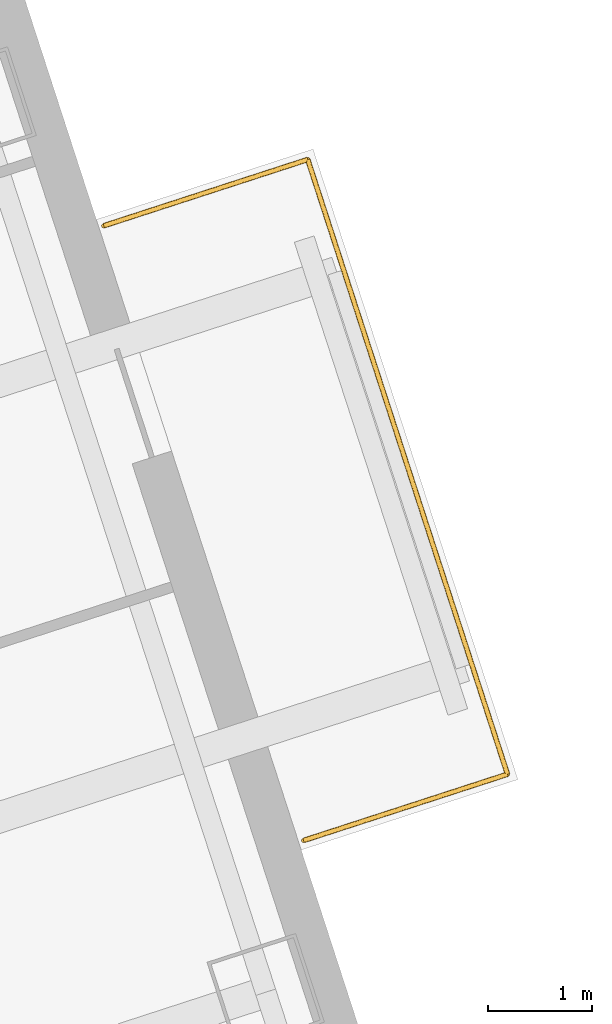
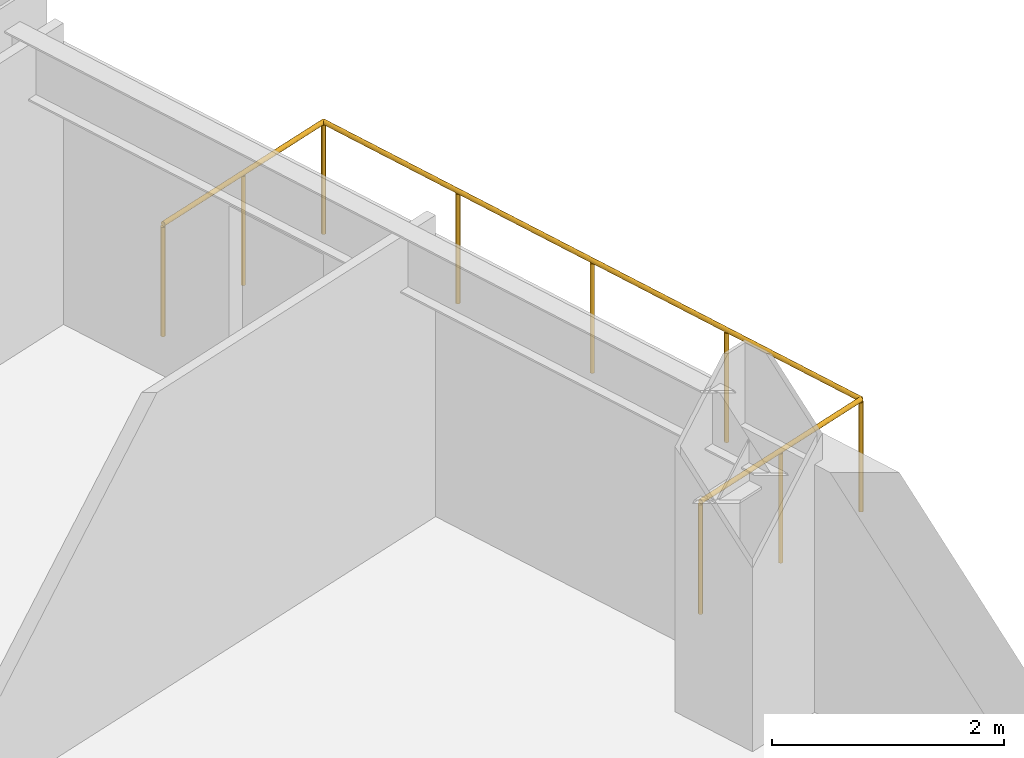
# One storey, part 15 of 15: 1 railing.
"""IFC4 building model written with IfcOpenShell, lengths in metres."""

import ifcopenshell
import ifcopenshell.guid

model = None  # the IFC model being written
_history = None  # IfcOwnerHistory: only IFC2X3 demands one
_inside = {}  # id of a spatial element -> (the spatial element, [elements in it])
_under = {}  # id of a project, library or spatial element -> (it, [spatial elements below it])
_declared = {}  # id of a project -> (the project, [libraries it declares])
_typed = {}  # id of a type object -> (the type object, [elements of that type])
_made_of = {}  # id of a material, layer set ... -> (it, [elements and type objects made of it])


def new_model(schema):
    """Start an empty IFC model of exactly this schema.

    Asked for "IFC4X3", IfcOpenShell would pick the latest addendum, in which some entities
    have other attributes; the version numbers below select the first issue.
    IFC2X3 requires an IfcOwnerHistory on every rooted entity: one is made here for all.
    """
    global model, _history
    if schema == "IFC4X3":
        model = ifcopenshell.file(schema_version=(4, 3, 0, 0))
    else:
        model = ifcopenshell.file(schema=schema)
    _inside.clear()
    _under.clear()
    _declared.clear()
    _typed.clear()
    _made_of.clear()
    _history = None
    if model.schema == "IFC2X3":
        org = make("IfcOrganization", Name="unknown")
        user = make(
            "IfcPersonAndOrganization",
            ThePerson=make("IfcPerson", FamilyName="unknown"),
            TheOrganization=org,
        )
        app = make(
            "IfcApplication",
            ApplicationDeveloper=org,
            Version="unknown",
            ApplicationFullName="unknown",
            ApplicationIdentifier="unknown",
        )
        _history = make(
            "IfcOwnerHistory",
            OwningUser=user,
            OwningApplication=app,
            ChangeAction="ADDED",
            CreationDate=0,
        )
    return model


def make(cls, **values):
    """One entity of the class cls with the attributes given. An attribute that is None is left unset."""
    return model.create_entity(
        cls, **{name: value for name, value in values.items() if value is not None}
    )


def rooted(cls, **values):
    """An entity with a GlobalId (a new one), such as an element, a storey or a relation."""
    return make(cls, GlobalId=ifcopenshell.guid.new(), OwnerHistory=_history, **values)


def si_unit(unit_type, name, prefix=None):
    """IfcSIUnit, for example si_unit("LENGTHUNIT", "METRE", prefix="MILLI")."""
    return make("IfcSIUnit", UnitType=unit_type, Prefix=prefix, Name=name)


def assignment(units):
    """IfcUnitAssignment: the units of a project."""
    return None if units is None else make("IfcUnitAssignment", Units=units)


def point(xyz):
    """IfcCartesianPoint."""
    return None if xyz is None else make("IfcCartesianPoint", Coordinates=xyz)


def direction(xyz):
    """IfcDirection."""
    return None if xyz is None else make("IfcDirection", DirectionRatios=xyz)


def frame(location, z_axis=None, x_axis=None):
    """IfcAxis2Placement3D, a coordinate frame: its origin and axes. An axis left out is left unset."""
    return make(
        "IfcAxis2Placement3D",
        Location=point(location),
        Axis=direction(z_axis),
        RefDirection=direction(x_axis),
    )


def frame_2d(location, x_axis=None):
    """IfcAxis2Placement2D, a coordinate frame in the plane: its origin and x axis."""
    return make(
        "IfcAxis2Placement2D", Location=point(location), RefDirection=direction(x_axis)
    )


def origin():
    """The frame at (0, 0, 0) with its axes left unset."""
    return frame((0.0, 0.0, 0.0))


def origin_2d():
    """The frame at (0, 0) in the plane with its x axis left unset."""
    return frame_2d((0.0, 0.0))


def place(relative_to, where):
    """IfcLocalPlacement: puts the frame where relative to a parent placement (None: the world)."""
    return make(
        "IfcLocalPlacement", PlacementRelTo=relative_to, RelativePlacement=where
    )


def context(
    kind, dimensions, precision=None, world=None, true_north=None, identifier=None
):
    """IfcGeometricRepresentationContext, for example the 3D "Model" context."""
    return make(
        "IfcGeometricRepresentationContext",
        ContextIdentifier=identifier,
        ContextType=kind,
        CoordinateSpaceDimension=dimensions,
        Precision=precision,
        WorldCoordinateSystem=world,
        TrueNorth=true_north,
    )


def subcontext(parent, identifier, kind, view, scale=None):
    """IfcGeometricRepresentationSubContext, for example "Body" below "Model"."""
    return make(
        "IfcGeometricRepresentationSubContext",
        ContextIdentifier=identifier,
        ContextType=kind,
        ParentContext=parent,
        TargetScale=scale,
        TargetView=view,
    )


def project(units=None, contexts=None):
    """IfcProject with its units and contexts."""
    return rooted(
        "IfcProject",
        Name="project",
        RepresentationContexts=contexts,
        UnitsInContext=assignment(units),
    )


def spatial(cls, under=None, at=None, **own):
    """A site, building, storey or space (cls), placed at a placement, below another one or the project."""
    s = rooted(cls, ObjectPlacement=at, **own)
    if under is not None:
        _under.setdefault(under.id(), (under, []))[1].append(s)
    return s


def profile(cls, at=None, kind="AREA", **sizes):
    """A parametric profile (cls). Its sizes go by their IFC names, for example OverallWidth=200.0."""
    return make(cls, ProfileType=kind, Position=at, **sizes)


def circle(**sizes):
    """IfcCircleProfileDef."""
    return profile("IfcCircleProfileDef", **sizes)


def extrude(swept, where, along, depth):
    """IfcExtrudedAreaSolid: the profile swept, set in the frame where, extruded along a direction by depth."""
    return make(
        "IfcExtrudedAreaSolid",
        SweptArea=swept,
        Position=where,
        ExtrudedDirection=direction(along),
        Depth=depth,
    )


def shape(context_of_items, identifier, shape_type, items):
    """IfcShapeRepresentation: the items that make up one representation, for example the "Body"."""
    return make(
        "IfcShapeRepresentation",
        ContextOfItems=context_of_items,
        RepresentationIdentifier=identifier,
        RepresentationType=shape_type,
        Items=items,
    )


def material(Name=None, Category=None):
    """IfcMaterial."""
    return make("IfcMaterial", Name=Name, Category=Category)


def made_of(thing, what):
    """Note that an element or type object is made of a material, layer set ...; save() writes the relation."""
    if what is not None:
        _made_of.setdefault(what.id(), (what, []))[1].append(thing)
    return thing


def type_object(cls, material=None, **own):
    """A type object (cls), such as IfcWallType, which elements share."""
    return made_of(rooted(cls, **own), material)


def element(
    cls,
    number,
    at=None,
    inside=None,
    cuts=None,
    type_object=None,
    material=None,
    context=None,
    identifier="Body",
    shape_type=None,
    held_by="IfcProductDefinitionShape",
    body=None,
    shapes=None,
    **own,
):
    """One element of the class cls, such as IfcWall. Its Tag is "e" and its number.

    at: its placement. inside: the storey or other place that contains it. cuts: it is an
    opening in that element (IfcRelVoidsElement). A single representation is given by context,
    identifier, shape_type and body (its items); several are given by shapes. held_by: the class
    of the entity that holds the representations. save() writes the other relations.
    """
    e = rooted(cls, Tag="e%d" % number, ObjectPlacement=at, **own)
    if body is not None:
        shapes = [shape(context, identifier, shape_type, body)]
    if shapes is not None:
        e.Representation = make(held_by, Representations=shapes)
    if inside is not None:
        _inside.setdefault(inside.id(), (inside, []))[1].append(e)
    if cuts is not None:
        rooted(
            "IfcRelVoidsElement", RelatingBuildingElement=cuts, RelatedOpeningElement=e
        )
    if type_object is not None:
        _typed.setdefault(type_object.id(), (type_object, []))[1].append(e)
    return made_of(e, material)


def aggregate(whole, parts):
    """IfcRelAggregates: a whole, such as a stair, and the parts it consists of."""
    return rooted("IfcRelAggregates", RelatingObject=whole, RelatedObjects=parts)


def save(model, path):
    """Write the relations noted so far, then the file.

    IfcRelAggregates (storeys below a building ...), IfcRelContainedInSpatialStructure (elements
    in a storey), IfcRelDefinesByType, IfcRelAssociatesMaterial and IfcRelDeclares: one each for
    every whole, place, type object, material and project.
    """
    for whole, parts in _under.values():
        aggregate(whole, parts)
    for where, things in _inside.values():
        rooted(
            "IfcRelContainedInSpatialStructure",
            RelatedElements=things,
            RelatingStructure=where,
        )
    for kind, things in _typed.values():
        rooted("IfcRelDefinesByType", RelatedObjects=things, RelatingType=kind)
    for what, things in _made_of.values():
        rooted("IfcRelAssociatesMaterial", RelatedObjects=things, RelatingMaterial=what)
    for by, libraries in _declared.values():
        rooted("IfcRelDeclares", RelatingContext=by, RelatedDefinitions=libraries)
    model.write(path)


model = new_model("IFC4")

# Units and contexts
model_context = context("Model", 3, precision=1e-05, world=origin(), true_north=direction((0.0, 1.0)))
body_context = subcontext(model_context, "Body", "Model", "MODEL_VIEW")
ifc_project = project(units=[si_unit("LENGTHUNIT", "METRE"), si_unit("AREAUNIT", "SQUARE_METRE"), si_unit("VOLUMEUNIT", "CUBIC_METRE"), si_unit("PLANEANGLEUNIT", "RADIAN"), si_unit("MASSUNIT", "GRAM", prefix="KILO")], contexts=[model_context])

# Site, building, storey
site_placement = place(None, origin())
site = spatial("IfcSite", under=ifc_project, at=site_placement, CompositionType="ELEMENT")
building_placement = place(site_placement, origin())
building = spatial("IfcBuilding", under=site, at=building_placement, Name="Qiaolan Cultural Towers", CompositionType="ELEMENT")
storey_placement = place(building_placement, frame((0.0, 0.0, 113.85009765625)))
storey = spatial("IfcBuildingStorey", under=building, at=storey_placement, Name="L29", CompositionType="ELEMENT", Elevation=113.85009765625)

# Railing
ifc_material = material(Name="Laminated SentryGlas & Stainless Steel S31608 Balustrade", Category="steel")
railing_type = type_object("IfcRailingType", Name="GRD-TERR-1200", PredefinedType="BALUSTRADE", material=ifc_material)
railing_placement = place(storey_placement, frame((106.29541015625, 40.640625, 0.0)))
element("IfcRailing", 1, at=railing_placement, inside=storey, type_object=railing_type, Name="L29 T2 Tree Balcony Guardrail E", PredefinedType="BALUSTRADE", context=body_context, shape_type="SweptSolid", body=[
    extrude(circle(Radius=0.02392578125, at=origin_2d()), frame((0.0, 0.0, 1.17578125), z_axis=(0.951061799618, 0.309000733507, 0.0), x_axis=(-0.309000733507, 0.951061799618, 0.0)), (0.0, 0.0, 1.0), 2.070068359375),
    extrude(circle(Radius=0.02392578125, at=origin_2d()), frame((1.96875, 0.6396484375, 1.17578125), z_axis=(-0.30901175762, 0.951058217804, 0.0), x_axis=(-0.951058217804, -0.30901175762, 0.0)), (0.0, 0.0, 1.0), 6.239990234375),
    extrude(circle(Radius=0.02392578125, at=origin_2d()), frame((0.04052734375, 6.57421875, 1.17578125), z_axis=(-0.951061799618, -0.309000733507, 0.0), x_axis=(0.309000733507, -0.951061799618, 0.0)), (0.0, 0.0, 1.0), 2.070068359375),
    extrude(circle(Radius=0.02099609375, at=origin_2d()), origin(), (0.0, 0.0, 1.0), 1.15185546875),
    extrude(circle(Radius=0.02099609375, at=origin_2d()), frame((0.984375, 0.31982421875, 0.0)), (0.0, 0.0, 1.0), 1.15185546875),
    extrude(circle(Radius=0.02099609375, at=origin_2d()), frame((1.96875, 0.6396484375, 0.0)), (0.0, 0.0, 1.0), 1.15185546875),
    extrude(circle(Radius=0.02099609375, at=origin_2d()), frame((1.48681640625, 2.123291015625, 0.0)), (0.0, 0.0, 1.0), 1.15185546875),
    extrude(circle(Radius=0.02099609375, at=origin_2d()), frame((1.004638671875, 3.60693359375, 0.0)), (0.0, 0.0, 1.0), 1.15185546875),
    extrude(circle(Radius=0.02099609375, at=origin_2d()), frame((0.5224609375, 5.090576171875, 0.0)), (0.0, 0.0, 1.0), 1.15185546875),
    extrude(circle(Radius=0.02099609375, at=origin_2d()), frame((0.04052734375, 6.57421875, 0.0)), (0.0, 0.0, 1.0), 1.15185546875),
    extrude(circle(Radius=0.02099609375, at=origin_2d()), frame((-0.94384765625, 6.25439453125, 0.0)), (0.0, 0.0, 1.0), 1.15185546875),
    extrude(circle(Radius=0.02099609375, at=origin_2d()), frame((-1.92822265625, 5.9345703125, 0.0)), (0.0, 0.0, 1.0), 1.15185546875),
])

save(model, "model.ifc")
